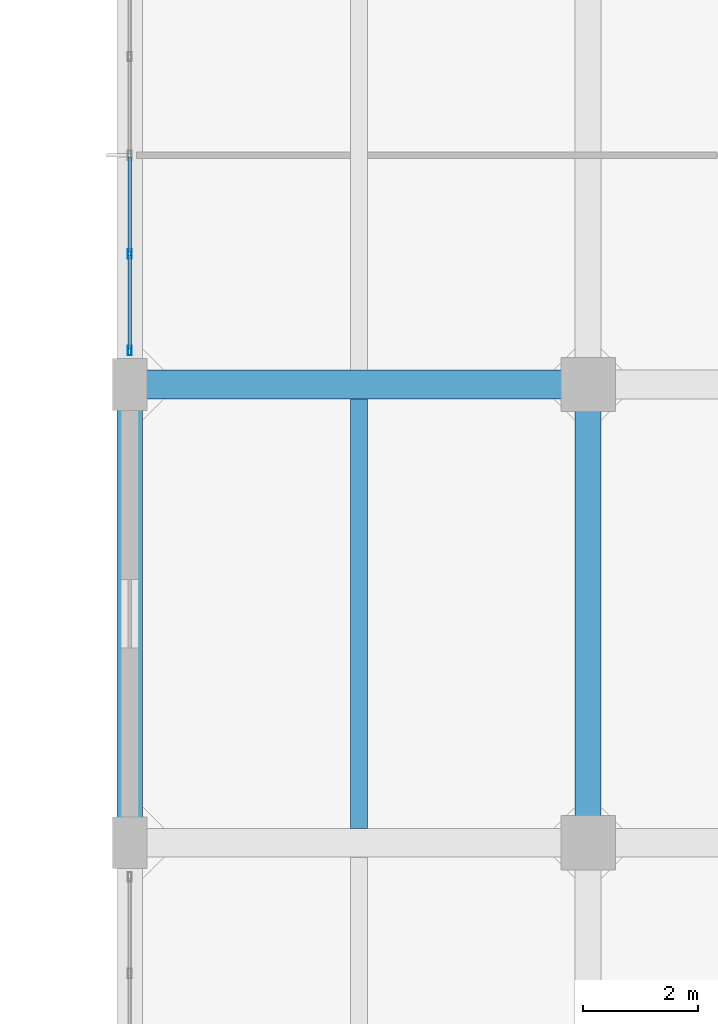
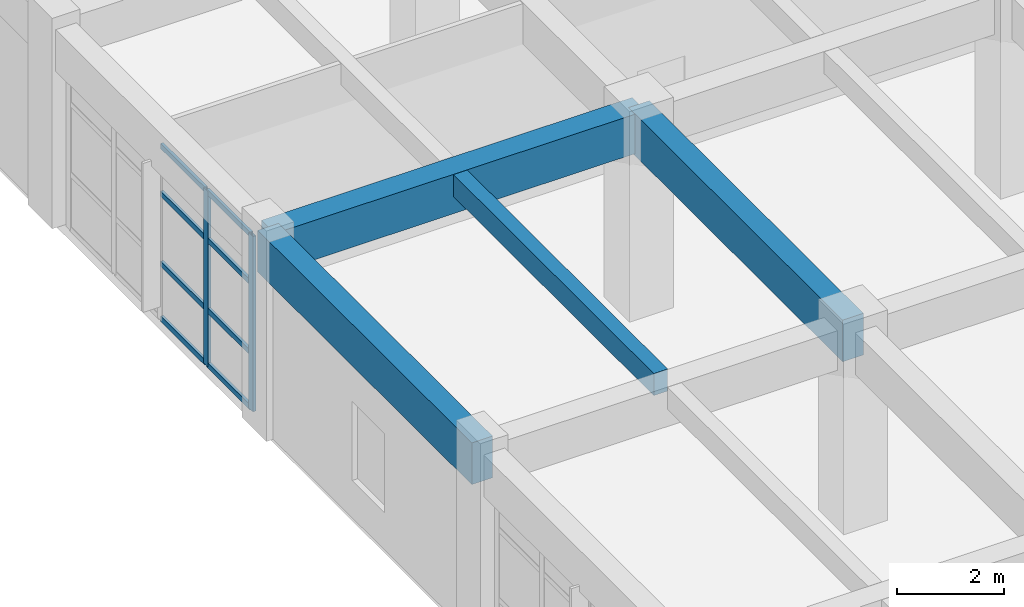
# One storey, part 108 of 248: 10 members, 4 beams, 1 element without a shape of its own.
"""IFC4 building model written with IfcOpenShell, lengths in metres."""

from ifc_helpers import new_model, si_unit, direction, frame, origin, origin_2d, place, context, subcontext, project, spatial, rectangle, hollow_rectangle, extrude, material, layer, layer_set, material_profile, profile_set, type_object, element, aggregate, save


model = new_model("IFC4")

# Units and contexts
model_context = context("Model", 3, precision=1e-05, world=origin(), true_north=direction((0.0, 1.0)))
body_context = subcontext(model_context, "Body", "Model", "MODEL_VIEW")
ifc_project = project(units=[si_unit("LENGTHUNIT", "METRE"), si_unit("AREAUNIT", "SQUARE_METRE"), si_unit("VOLUMEUNIT", "CUBIC_METRE"), si_unit("PLANEANGLEUNIT", "RADIAN"), si_unit("MASSUNIT", "GRAM", prefix="KILO")], contexts=[model_context])

# Site, building, storey
site_placement = place(None, origin())
site = spatial("IfcSite", under=ifc_project, at=site_placement, CompositionType="ELEMENT")
building_placement = place(site_placement, origin())
building = spatial("IfcBuilding", under=site, at=building_placement, Name="Canggui Botanical Conservatory", CompositionType="ELEMENT")
storey_placement = place(building_placement, frame((0.0, 0.0, 5.39990234375)))
storey = spatial("IfcBuildingStorey", under=building, at=storey_placement, Name="L02", CompositionType="ELEMENT", Elevation=5.39990234375)

# Beams
ifc_material_1 = material(Name="Concrete C35", Category="concrete")
ifc_material_profile_1 = material_profile(ifc_material_1, rectangle(XDim=0.300048828125, YDim=0.5, at=origin_2d()), Name="RB 300x500")
ifc_profile_set_1 = profile_set([ifc_material_profile_1], Name="Concrete C35")
beam_type_1 = type_object("IfcBeamType", Name="BM-JST02", PredefinedType="JOIST", material=ifc_profile_set_1)
beam_1_placement = place(storey_placement, frame((134.0, 42.2548828125, 4.27001953125), z_axis=(0.0, 1.0, 0.0), x_axis=(-1.0, 0.0, 0.0)))
element("IfcBeam", 1, at=beam_1_placement, inside=storey, type_object=beam_type_1, Name="Secondary Floor Joist L02-1-3", PredefinedType="JOIST", context=body_context, shape_type="SweptSolid", body=[
    extrude(rectangle(XDim=0.300048828125, YDim=0.5, at=origin_2d()), origin(), (0.0, 0.0, 1.0), 7.490234375),
])
ifc_material_profile_2 = material_profile(ifc_material_1, rectangle(XDim=0.5, YDim=0.89990234375, at=origin_2d()), Name="RB 500x900")
ifc_profile_set_2 = profile_set([ifc_material_profile_2], Name="Concrete C35")
beam_type_2 = type_object("IfcBeamType", Name="BM-KL03", PredefinedType="BEAM", material=ifc_profile_set_2)
beam_2_placement = place(storey_placement, frame((130.0, 50.0, 4.070068359375), z_axis=(1.0, 0.0, 0.0), x_axis=(0.0, 1.0, 0.0)))
element("IfcBeam", 2, at=beam_2_placement, inside=storey, type_object=beam_type_2, Name="Frame Girder L02 Y50-1", PredefinedType="BEAM", context=body_context, shape_type="SweptSolid", body=[
    extrude(rectangle(XDim=0.5, YDim=0.89990234375, at=origin_2d()), origin(), (0.0, 0.0, 1.0), 8.0),
])
ifc_material_profile_3 = material_profile(ifc_material_1, rectangle(XDim=0.449951171875, YDim=0.949951171875, at=origin_2d()), Name="RB 450x950")
ifc_profile_set_3 = profile_set([ifc_material_profile_3], Name="Concrete C35")
beam_type_3 = type_object("IfcBeamType", Name="BM-KL04", PredefinedType="BEAM", material=ifc_profile_set_3)
for number, where, z_axis, x_axis, name in (
    (3, (130.0, 42.0, 4.045166015625), (0.0, 1.0, 0.0), (-1.0, 0.0, 0.0), "Frame Girder L02 X130-3"),
    (4, (138.0, 42.0, 4.045166015625), (0.0, 1.0, 0.0), (-1.0, 0.0, 0.0), "Frame Girder L02 X138-3"),
):
    element("IfcBeam", number, at=place(storey_placement, frame(where, z_axis=z_axis, x_axis=x_axis)), inside=storey, type_object=beam_type_3, Name=name, PredefinedType="BEAM", context=body_context, shape_type="SweptSolid", body=[
        extrude(rectangle(XDim=0.449951171875, YDim=0.949951171875, at=origin_2d()), origin(), (0.0, 0.0, 1.0), 8.0),
    ])

# Curtain wall, members
ifc_material_2 = material(Name="Thermally Broken Aluminium", Category="aluminium")
ifc_layer = layer(ifc_material_2, 0.1650390625, Name="Thermally Broken Aluminium", Category="aluminium")
ifc_layer_set = layer_set([ifc_layer], Name="Thermally Broken Aluminium")
curtain_wall_type = type_object("IfcCurtainWallType", Name="CW-UNIT-B", PredefinedType="USERDEFINED", material=ifc_layer_set)
curtain_wall_placement = place(storey_placement, origin())
curtain_wall = element("IfcCurtainWall", 5, at=curtain_wall_placement, inside=storey, type_object=curtain_wall_type, Name="Facade Curtain Wall CW-TWR-L02-10", ObjectType="UNITISED CURTAIN WALL", PredefinedType="USERDEFINED")
ifc_material_profile_4 = material_profile(ifc_material_2, hollow_rectangle(XDim=0.06494140625, YDim=0.1650390625, WallThickness=0.00390625, at=origin_2d()), Name="CWM 65x165x4")
ifc_profile_set_4 = profile_set([ifc_material_profile_4], Name="Thermally Broken Aluminium")
member_type_1 = type_object("IfcMemberType", Name="CWM-02", PredefinedType="MULLION", material=ifc_profile_set_4)
member_1_placement = place(storey_placement, frame((130.0, 50.592529296875, 0.0), z_axis=(0.0, 0.0, 1.0), x_axis=(-1.0, 0.0, 0.0)))
member_1 = element("IfcMember", 6, at=member_1_placement, type_object=member_type_1, Name="CW-02 mullion 1", PredefinedType="MULLION", context=body_context, shape_type="SweptSolid", body=[
    extrude(hollow_rectangle(XDim=0.06494140625, YDim=0.1650390625, WallThickness=0.00390625, at=origin_2d()), origin(), (0.0, 0.0, 1.0), 4.0),
])
member_2_placement = place(storey_placement, frame((130.0, 52.280029296875, 0.0), z_axis=(0.0, 0.0, 1.0), x_axis=(-1.0, 0.0, 0.0)))
member_2 = element("IfcMember", 7, at=member_2_placement, type_object=member_type_1, Name="CW-02 mullion 2", PredefinedType="MULLION", context=body_context, shape_type="SweptSolid", body=[
    extrude(hollow_rectangle(XDim=0.06494140625, YDim=0.1650390625, WallThickness=0.00390625, at=origin_2d()), origin(), (0.0, 0.0, 1.0), 4.0),
])
ifc_material_profile_5 = material_profile(ifc_material_2, hollow_rectangle(XDim=0.06005859375, YDim=0.1201171875, WallThickness=0.00341796875, at=origin_2d()), Name="CWT 60x120x3.5")
ifc_profile_set_5 = profile_set([ifc_material_profile_5], Name="Thermally Broken Aluminium")
member_type_2 = type_object("IfcMemberType", Name="CWT-02", PredefinedType="USERDEFINED", material=ifc_profile_set_5)
member_3_placement = place(storey_placement, frame((130.0, 50.625, 0.030029296875), z_axis=(0.0, 1.0, 0.0), x_axis=(-1.0, 0.0, 0.0)))
member_3 = element("IfcMember", 8, at=member_3_placement, type_object=member_type_2, Name="CW-02 transom 1.1", ObjectType="TRANSOM", PredefinedType="USERDEFINED", context=body_context, shape_type="SweptSolid", body=[
    extrude(hollow_rectangle(XDim=0.06005859375, YDim=0.1201171875, WallThickness=0.00341796875, at=origin_2d()), origin(), (0.0, 0.0, 1.0), 1.62255859375),
])
member_4_placement = place(storey_placement, frame((130.0, 50.625, 1.280029296875), z_axis=(0.0, 1.0, 0.0), x_axis=(-1.0, 0.0, 0.0)))
member_4 = element("IfcMember", 9, at=member_4_placement, type_object=member_type_2, Name="CW-02 transom 1.2", ObjectType="TRANSOM", PredefinedType="USERDEFINED", context=body_context, shape_type="SweptSolid", body=[
    extrude(hollow_rectangle(XDim=0.06005859375, YDim=0.1201171875, WallThickness=0.00341796875, at=origin_2d()), origin(), (0.0, 0.0, 1.0), 1.62255859375),
])
member_5_placement = place(storey_placement, frame((130.0, 50.625, 2.880126953125), z_axis=(0.0, 1.0, 0.0), x_axis=(-1.0, 0.0, 0.0)))
member_5 = element("IfcMember", 10, at=member_5_placement, type_object=member_type_2, Name="CW-02 transom 1.3", ObjectType="TRANSOM", PredefinedType="USERDEFINED", context=body_context, shape_type="SweptSolid", body=[
    extrude(hollow_rectangle(XDim=0.06005859375, YDim=0.1201171875, WallThickness=0.00341796875, at=origin_2d()), origin(), (0.0, 0.0, 1.0), 1.62255859375),
])
member_6_placement = place(storey_placement, frame((130.0, 50.625, 3.97021484375), z_axis=(0.0, 1.0, 0.0), x_axis=(-1.0, 0.0, 0.0)))
member_6 = element("IfcMember", 11, at=member_6_placement, type_object=member_type_2, Name="CW-02 transom 1.4", ObjectType="TRANSOM", PredefinedType="USERDEFINED", context=body_context, shape_type="SweptSolid", body=[
    extrude(hollow_rectangle(XDim=0.06005859375, YDim=0.1201171875, WallThickness=0.00341796875, at=origin_2d()), origin(), (0.0, 0.0, 1.0), 1.62255859375),
])
member_7_placement = place(storey_placement, frame((130.0, 52.3125, 0.030029296875), z_axis=(0.0, 1.0, 0.0), x_axis=(-1.0, 0.0, 0.0)))
member_7 = element("IfcMember", 12, at=member_7_placement, type_object=member_type_2, Name="CW-02 transom 2.1", ObjectType="TRANSOM", PredefinedType="USERDEFINED", context=body_context, shape_type="SweptSolid", body=[
    extrude(hollow_rectangle(XDim=0.06005859375, YDim=0.1201171875, WallThickness=0.00341796875, at=origin_2d()), origin(), (0.0, 0.0, 1.0), 1.655029296875),
])
member_8_placement = place(storey_placement, frame((130.0, 52.3125, 1.280029296875), z_axis=(0.0, 1.0, 0.0), x_axis=(-1.0, 0.0, 0.0)))
member_8 = element("IfcMember", 13, at=member_8_placement, type_object=member_type_2, Name="CW-02 transom 2.2", ObjectType="TRANSOM", PredefinedType="USERDEFINED", context=body_context, shape_type="SweptSolid", body=[
    extrude(hollow_rectangle(XDim=0.06005859375, YDim=0.1201171875, WallThickness=0.00341796875, at=origin_2d()), origin(), (0.0, 0.0, 1.0), 1.655029296875),
])
member_9_placement = place(storey_placement, frame((130.0, 52.3125, 2.880126953125), z_axis=(0.0, 1.0, 0.0), x_axis=(-1.0, 0.0, 0.0)))
member_9 = element("IfcMember", 14, at=member_9_placement, type_object=member_type_2, Name="CW-02 transom 2.3", ObjectType="TRANSOM", PredefinedType="USERDEFINED", context=body_context, shape_type="SweptSolid", body=[
    extrude(hollow_rectangle(XDim=0.06005859375, YDim=0.1201171875, WallThickness=0.00341796875, at=origin_2d()), origin(), (0.0, 0.0, 1.0), 1.655029296875),
])
member_10_placement = place(storey_placement, frame((130.0, 52.3125, 3.97021484375), z_axis=(0.0, 1.0, 0.0), x_axis=(-1.0, 0.0, 0.0)))
member_10 = element("IfcMember", 15, at=member_10_placement, type_object=member_type_2, Name="CW-02 transom 2.4", ObjectType="TRANSOM", PredefinedType="USERDEFINED", context=body_context, shape_type="SweptSolid", body=[
    extrude(hollow_rectangle(XDim=0.06005859375, YDim=0.1201171875, WallThickness=0.00341796875, at=origin_2d()), origin(), (0.0, 0.0, 1.0), 1.655029296875),
])
aggregate(curtain_wall, [member_1, member_2, member_3, member_4, member_5, member_6, member_7, member_8, member_9, member_10])

save(model, "model.ifc")
